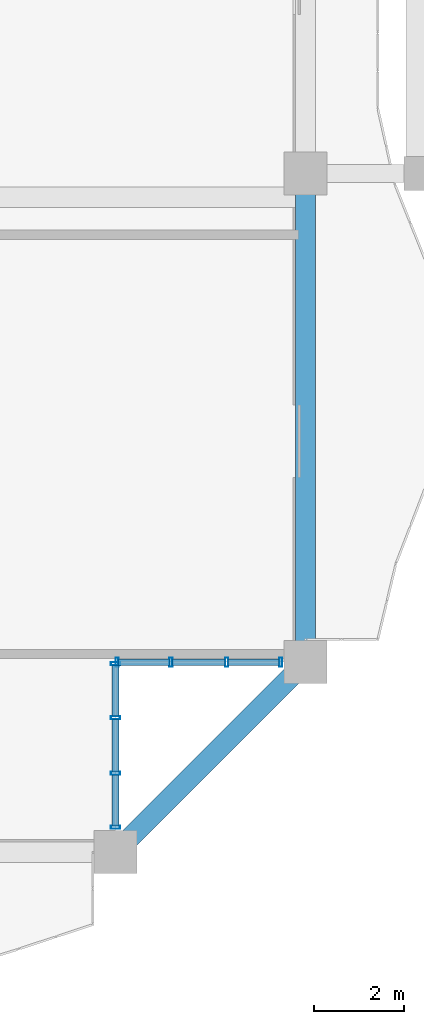
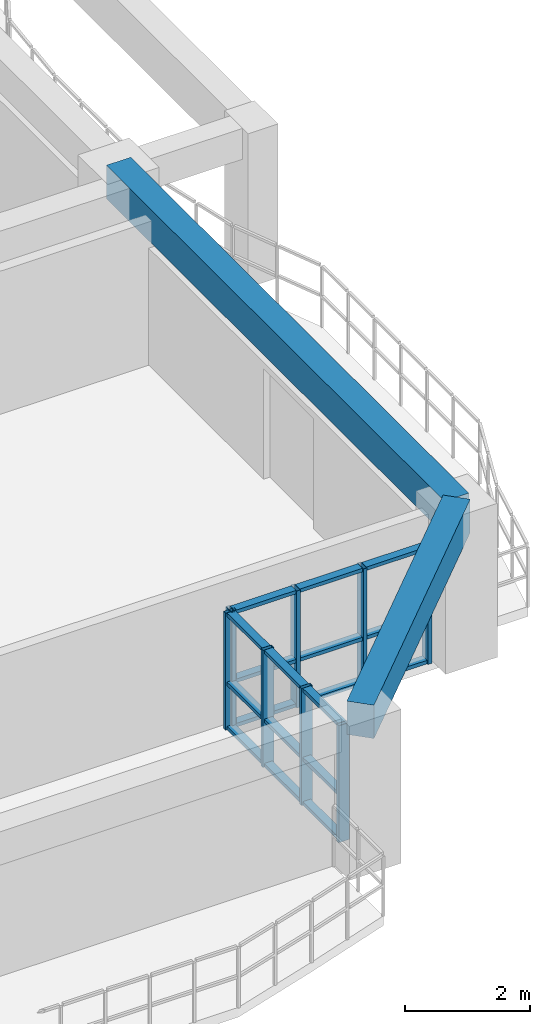
# One storey, part 4 of 22: 26 members, 2 beams, 2 elements without a shape of their own.
"""IFC4 building model written with IfcOpenShell, lengths in metres."""

import ifcopenshell
import ifcopenshell.guid

model = None  # the IFC model being written
_history = None  # IfcOwnerHistory: only IFC2X3 demands one
_inside = {}  # id of a spatial element -> (the spatial element, [elements in it])
_under = {}  # id of a project, library or spatial element -> (it, [spatial elements below it])
_declared = {}  # id of a project -> (the project, [libraries it declares])
_typed = {}  # id of a type object -> (the type object, [elements of that type])
_made_of = {}  # id of a material, layer set ... -> (it, [elements and type objects made of it])


def new_model(schema):
    """Start an empty IFC model of exactly this schema.

    Asked for "IFC4X3", IfcOpenShell would pick the latest addendum, in which some entities
    have other attributes; the version numbers below select the first issue.
    IFC2X3 requires an IfcOwnerHistory on every rooted entity: one is made here for all.
    """
    global model, _history
    if schema == "IFC4X3":
        model = ifcopenshell.file(schema_version=(4, 3, 0, 0))
    else:
        model = ifcopenshell.file(schema=schema)
    _inside.clear()
    _under.clear()
    _declared.clear()
    _typed.clear()
    _made_of.clear()
    _history = None
    if model.schema == "IFC2X3":
        org = make("IfcOrganization", Name="unknown")
        user = make(
            "IfcPersonAndOrganization",
            ThePerson=make("IfcPerson", FamilyName="unknown"),
            TheOrganization=org,
        )
        app = make(
            "IfcApplication",
            ApplicationDeveloper=org,
            Version="unknown",
            ApplicationFullName="unknown",
            ApplicationIdentifier="unknown",
        )
        _history = make(
            "IfcOwnerHistory",
            OwningUser=user,
            OwningApplication=app,
            ChangeAction="ADDED",
            CreationDate=0,
        )
    return model


def make(cls, **values):
    """One entity of the class cls with the attributes given. An attribute that is None is left unset."""
    return model.create_entity(
        cls, **{name: value for name, value in values.items() if value is not None}
    )


def rooted(cls, **values):
    """An entity with a GlobalId (a new one), such as an element, a storey or a relation."""
    return make(cls, GlobalId=ifcopenshell.guid.new(), OwnerHistory=_history, **values)


def si_unit(unit_type, name, prefix=None):
    """IfcSIUnit, for example si_unit("LENGTHUNIT", "METRE", prefix="MILLI")."""
    return make("IfcSIUnit", UnitType=unit_type, Prefix=prefix, Name=name)


def assignment(units):
    """IfcUnitAssignment: the units of a project."""
    return None if units is None else make("IfcUnitAssignment", Units=units)


def point(xyz):
    """IfcCartesianPoint."""
    return None if xyz is None else make("IfcCartesianPoint", Coordinates=xyz)


def direction(xyz):
    """IfcDirection."""
    return None if xyz is None else make("IfcDirection", DirectionRatios=xyz)


def frame(location, z_axis=None, x_axis=None):
    """IfcAxis2Placement3D, a coordinate frame: its origin and axes. An axis left out is left unset."""
    return make(
        "IfcAxis2Placement3D",
        Location=point(location),
        Axis=direction(z_axis),
        RefDirection=direction(x_axis),
    )


def frame_2d(location, x_axis=None):
    """IfcAxis2Placement2D, a coordinate frame in the plane: its origin and x axis."""
    return make(
        "IfcAxis2Placement2D", Location=point(location), RefDirection=direction(x_axis)
    )


def origin():
    """The frame at (0, 0, 0) with its axes left unset."""
    return frame((0.0, 0.0, 0.0))


def origin_2d():
    """The frame at (0, 0) in the plane with its x axis left unset."""
    return frame_2d((0.0, 0.0))


def place(relative_to, where):
    """IfcLocalPlacement: puts the frame where relative to a parent placement (None: the world)."""
    return make(
        "IfcLocalPlacement", PlacementRelTo=relative_to, RelativePlacement=where
    )


def context(
    kind, dimensions, precision=None, world=None, true_north=None, identifier=None
):
    """IfcGeometricRepresentationContext, for example the 3D "Model" context."""
    return make(
        "IfcGeometricRepresentationContext",
        ContextIdentifier=identifier,
        ContextType=kind,
        CoordinateSpaceDimension=dimensions,
        Precision=precision,
        WorldCoordinateSystem=world,
        TrueNorth=true_north,
    )


def subcontext(parent, identifier, kind, view, scale=None):
    """IfcGeometricRepresentationSubContext, for example "Body" below "Model"."""
    return make(
        "IfcGeometricRepresentationSubContext",
        ContextIdentifier=identifier,
        ContextType=kind,
        ParentContext=parent,
        TargetScale=scale,
        TargetView=view,
    )


def project(units=None, contexts=None):
    """IfcProject with its units and contexts."""
    return rooted(
        "IfcProject",
        Name="project",
        RepresentationContexts=contexts,
        UnitsInContext=assignment(units),
    )


def spatial(cls, under=None, at=None, **own):
    """A site, building, storey or space (cls), placed at a placement, below another one or the project."""
    s = rooted(cls, ObjectPlacement=at, **own)
    if under is not None:
        _under.setdefault(under.id(), (under, []))[1].append(s)
    return s


def profile(cls, at=None, kind="AREA", **sizes):
    """A parametric profile (cls). Its sizes go by their IFC names, for example OverallWidth=200.0."""
    return make(cls, ProfileType=kind, Position=at, **sizes)


def rectangle(**sizes):
    """IfcRectangleProfileDef."""
    return profile("IfcRectangleProfileDef", **sizes)


def hollow_rectangle(**sizes):
    """IfcRectangleHollowProfileDef."""
    return profile("IfcRectangleHollowProfileDef", **sizes)


def extrude(swept, where, along, depth):
    """IfcExtrudedAreaSolid: the profile swept, set in the frame where, extruded along a direction by depth."""
    return make(
        "IfcExtrudedAreaSolid",
        SweptArea=swept,
        Position=where,
        ExtrudedDirection=direction(along),
        Depth=depth,
    )


def shape(context_of_items, identifier, shape_type, items):
    """IfcShapeRepresentation: the items that make up one representation, for example the "Body"."""
    return make(
        "IfcShapeRepresentation",
        ContextOfItems=context_of_items,
        RepresentationIdentifier=identifier,
        RepresentationType=shape_type,
        Items=items,
    )


def source(mapping_origin, context_of_items, identifier, shape_type, items):
    """IfcRepresentationMap: a shape defined once, which mapped items show again and again."""
    return make(
        "IfcRepresentationMap",
        MappingOrigin=mapping_origin,
        MappedRepresentation=shape(context_of_items, identifier, shape_type, items),
    )


def transform(
    local_origin,
    x_axis=None,
    y_axis=None,
    z_axis=None,
    scale=None,
    scale2=None,
    scale3=None,
    uniform=True,
):
    """IfcCartesianTransformationOperator3D, or its non-uniform kind. x_axis, y_axis, z_axis: its Axis1, 2, 3."""
    if uniform:
        return make(
            "IfcCartesianTransformationOperator3D",
            Axis1=direction(x_axis),
            Axis2=direction(y_axis),
            LocalOrigin=point(local_origin),
            Scale=scale,
            Axis3=direction(z_axis),
        )
    return make(
        "IfcCartesianTransformationOperator3DnonUniform",
        Axis1=direction(x_axis),
        Axis2=direction(y_axis),
        LocalOrigin=point(local_origin),
        Scale=scale,
        Axis3=direction(z_axis),
        Scale2=scale2,
        Scale3=scale3,
    )


def mapped(mapping_source, mapping_target):
    """IfcMappedItem: shows the shape of a source again, moved by a transform."""
    return make(
        "IfcMappedItem", MappingSource=mapping_source, MappingTarget=mapping_target
    )


def material(Name=None, Category=None):
    """IfcMaterial."""
    return make("IfcMaterial", Name=Name, Category=Category)


def layer(
    of_material, thickness, ventilated=None, Name=None, Category=None, Priority=None
):
    """IfcMaterialLayer: one layer of a wall or slab, of a material (None: an air gap)."""
    return make(
        "IfcMaterialLayer",
        Material=of_material,
        LayerThickness=thickness,
        IsVentilated=ventilated,
        Name=Name,
        Category=Category,
        Priority=Priority,
    )


def layer_set(layers, Name=None):
    """IfcMaterialLayerSet."""
    return make("IfcMaterialLayerSet", MaterialLayers=layers, LayerSetName=Name)


def material_profile(
    of_material, cross_section, Name=None, Category=None, Priority=None
):
    """IfcMaterialProfile: a cross section and its material."""
    return make(
        "IfcMaterialProfile",
        Name=Name,
        Material=of_material,
        Profile=cross_section,
        Priority=Priority,
        Category=Category,
    )


def profile_set(profiles, Name=None, composite=None):
    """IfcMaterialProfileSet."""
    return make(
        "IfcMaterialProfileSet",
        Name=Name,
        MaterialProfiles=profiles,
        CompositeProfile=composite,
    )


def made_of(thing, what):
    """Note that an element or type object is made of a material, layer set ...; save() writes the relation."""
    if what is not None:
        _made_of.setdefault(what.id(), (what, []))[1].append(thing)
    return thing


def type_object(cls, material=None, **own):
    """A type object (cls), such as IfcWallType, which elements share."""
    return made_of(rooted(cls, **own), material)


def element(
    cls,
    number,
    at=None,
    inside=None,
    cuts=None,
    type_object=None,
    material=None,
    context=None,
    identifier="Body",
    shape_type=None,
    held_by="IfcProductDefinitionShape",
    body=None,
    shapes=None,
    **own,
):
    """One element of the class cls, such as IfcWall. Its Tag is "e" and its number.

    at: its placement. inside: the storey or other place that contains it. cuts: it is an
    opening in that element (IfcRelVoidsElement). A single representation is given by context,
    identifier, shape_type and body (its items); several are given by shapes. held_by: the class
    of the entity that holds the representations. save() writes the other relations.
    """
    e = rooted(cls, Tag="e%d" % number, ObjectPlacement=at, **own)
    if body is not None:
        shapes = [shape(context, identifier, shape_type, body)]
    if shapes is not None:
        e.Representation = make(held_by, Representations=shapes)
    if inside is not None:
        _inside.setdefault(inside.id(), (inside, []))[1].append(e)
    if cuts is not None:
        rooted(
            "IfcRelVoidsElement", RelatingBuildingElement=cuts, RelatedOpeningElement=e
        )
    if type_object is not None:
        _typed.setdefault(type_object.id(), (type_object, []))[1].append(e)
    return made_of(e, material)


def aggregate(whole, parts):
    """IfcRelAggregates: a whole, such as a stair, and the parts it consists of."""
    return rooted("IfcRelAggregates", RelatingObject=whole, RelatedObjects=parts)


def save(model, path):
    """Write the relations noted so far, then the file.

    IfcRelAggregates (storeys below a building ...), IfcRelContainedInSpatialStructure (elements
    in a storey), IfcRelDefinesByType, IfcRelAssociatesMaterial and IfcRelDeclares: one each for
    every whole, place, type object, material and project.
    """
    for whole, parts in _under.values():
        aggregate(whole, parts)
    for where, things in _inside.values():
        rooted(
            "IfcRelContainedInSpatialStructure",
            RelatedElements=things,
            RelatingStructure=where,
        )
    for kind, things in _typed.values():
        rooted("IfcRelDefinesByType", RelatedObjects=things, RelatingType=kind)
    for what, things in _made_of.values():
        rooted("IfcRelAssociatesMaterial", RelatedObjects=things, RelatingMaterial=what)
    for by, libraries in _declared.values():
        rooted("IfcRelDeclares", RelatingContext=by, RelatedDefinitions=libraries)
    model.write(path)


model = new_model("IFC4")

# Units and contexts
model_context = context("Model", 3, precision=1e-05, world=origin(), true_north=direction((0.0, 1.0)))
body_context = subcontext(model_context, "Body", "Model", "MODEL_VIEW")
ifc_project = project(units=[si_unit("LENGTHUNIT", "METRE"), si_unit("AREAUNIT", "SQUARE_METRE"), si_unit("VOLUMEUNIT", "CUBIC_METRE"), si_unit("PLANEANGLEUNIT", "RADIAN"), si_unit("MASSUNIT", "GRAM", prefix="KILO")], contexts=[model_context])

# Site, building, storey
site_placement = place(None, origin())
site = spatial("IfcSite", under=ifc_project, at=site_placement, CompositionType="ELEMENT")
building_placement = place(site_placement, origin())
building = spatial("IfcBuilding", under=site, at=building_placement, Name="Saelheon Loggia Tower", CompositionType="ELEMENT")
storey_placement = place(building_placement, frame((0.0, 0.0, 135.75)))
storey = spatial("IfcBuildingStorey", under=building, at=storey_placement, Name="L43", CompositionType="ELEMENT", Elevation=135.75)

# Beams
ifc_material_1 = material(Name="Concrete C40/50", Category="concrete")
ifc_material_profile_1 = material_profile(ifc_material_1, rectangle(XDim=0.449951171875, YDim=0.64990234375, at=origin_2d()), Name="RC-450x650")
ifc_profile_set_1 = profile_set([ifc_material_profile_1], Name="Concrete C40/50")
beam_type = type_object("IfcBeamType", Name="Beam_PerimTower_RC450x650", PredefinedType="BEAM", material=ifc_profile_set_1)
shared_shape_1 = source(origin(), body_context, "Body", "SweptSolid", [
    extrude(rectangle(XDim=0.449951171875, YDim=0.64990234375, at=origin_2d()), origin(), (0.0, 0.0, 1.0), 5.939697265625),
])
beam_1_placement = place(storey_placement, frame((59.800048828125, 3.0, 2.675048828125), z_axis=(0.707106781187, 0.707106781187, 0.0), x_axis=(-0.707106781187, 0.707106781187, 0.0)))
element("IfcBeam", 1, at=beam_1_placement, inside=storey, type_object=beam_type, Name="L43 Perimeter Frame Girder 04", PredefinedType="BEAM", context=body_context, shape_type="MappedRepresentation", body=[
    mapped(shared_shape_1, transform((0.0, 0.0, 0.0), scale=1.0)),
])
shared_shape_2 = source(origin(), body_context, "Body", "SweptSolid", [
    extrude(rectangle(XDim=0.449951171875, YDim=0.64990234375, at=origin_2d()), origin(), (0.0, 0.0, 1.0), 10.800048828125),
])
beam_2_placement = place(storey_placement, frame((64.0, 7.199951171875, 2.675048828125), z_axis=(0.0, 1.0, 0.0), x_axis=(-1.0, 0.0, 0.0)))
element("IfcBeam", 2, at=beam_2_placement, inside=storey, type_object=beam_type, Name="L43 Perimeter Frame Girder 05", PredefinedType="BEAM", context=body_context, shape_type="MappedRepresentation", body=[
    mapped(shared_shape_2, transform((0.0, 0.0, 0.0), scale=1.0)),
])

# Curtain wall, members
ifc_material_2 = material(Name="High-Wind Aluminium and Triple Laminated Glass", Category="aluminium")
ifc_layer = layer(ifc_material_2, 0.179931640625)
ifc_layer_set = layer_set([ifc_layer], Name="High-Wind Aluminium and Triple Laminated Glass")
curtain_wall_type = type_object("IfcCurtainWallType", Name="CW_TowerLoggiaHigh", PredefinedType="NOTDEFINED", material=ifc_layer_set)
curtain_wall_1_placement = place(storey_placement, origin())
curtain_wall_1 = element("IfcCurtainWall", 3, at=curtain_wall_1_placement, inside=storey, type_object=curtain_wall_type, Name="L43 Corner Notch Glazing SE1", PredefinedType="NOTDEFINED")
ifc_material_3 = material(Name="Anodised Aluminium 6063-T6", Category="aluminium")
ifc_material_profile_2 = material_profile(ifc_material_3, hollow_rectangle(XDim=0.070068359375, YDim=0.199951171875, WallThickness=0.0048828125, at=origin_2d()), Name="RHS-200x70x5")
ifc_profile_set_2 = profile_set([ifc_material_profile_2], Name="Anodised Aluminium 6063-T6")
member_type_1 = type_object("IfcMemberType", Name="CW_TowerLoggiaHigh_Mullion", PredefinedType="MULLION", material=ifc_profile_set_2)
shared_shape_3 = source(origin(), body_context, "Body", "SweptSolid", [
    extrude(hollow_rectangle(XDim=0.070068359375, YDim=0.199951171875, WallThickness=0.0048828125, at=origin_2d()), origin(), (0.0, 0.0, 1.0), 2.280029296875),
])
member_1_placement = place(storey_placement, frame((59.800048828125, 3.550048828125, 0.0), z_axis=(0.0, 0.0, 1.0), x_axis=(0.0, 1.0, 0.0)))
member_1 = element("IfcMember", 4, at=member_1_placement, type_object=member_type_1, Name="CW4 mullion 1", PredefinedType="MULLION", context=body_context, shape_type="MappedRepresentation", body=[
    mapped(shared_shape_3, transform((0.0, 0.0, 0.0), scale=1.0)),
])
member_2_placement = place(storey_placement, frame((59.800048828125, 4.743408203125, 0.0), z_axis=(0.0, 0.0, 1.0), x_axis=(0.0, 1.0, 0.0)))
member_2 = element("IfcMember", 5, at=member_2_placement, type_object=member_type_1, Name="CW4 mullion 2", PredefinedType="MULLION", context=body_context, shape_type="MappedRepresentation", body=[
    mapped(shared_shape_3, transform((0.0, 0.0, 0.0), scale=1.0)),
])
member_3_placement = place(storey_placement, frame((59.800048828125, 5.9716796875, 0.0), z_axis=(0.0, 0.0, 1.0), x_axis=(0.0, 1.0, 0.0)))
member_3 = element("IfcMember", 6, at=member_3_placement, type_object=member_type_1, Name="CW4 mullion 3", PredefinedType="MULLION", context=body_context, shape_type="MappedRepresentation", body=[
    mapped(shared_shape_3, transform((0.0, 0.0, 0.0), scale=1.0)),
])
member_4_placement = place(storey_placement, frame((59.800048828125, 7.1650390625, 0.0), z_axis=(0.0, 0.0, 1.0), x_axis=(0.0, 1.0, 0.0)))
member_4 = element("IfcMember", 7, at=member_4_placement, type_object=member_type_1, Name="CW4 mullion 4", PredefinedType="MULLION", context=body_context, shape_type="MappedRepresentation", body=[
    mapped(shared_shape_3, transform((0.0, 0.0, 0.0), scale=1.0)),
])

curtain_wall_2_placement = place(storey_placement, origin())
curtain_wall_2 = element("IfcCurtainWall", 8, at=curtain_wall_2_placement, inside=storey, type_object=curtain_wall_type, Name="L43 Corner Notch Glazing SE2", PredefinedType="NOTDEFINED")
member_5_placement = place(storey_placement, frame((59.8349609375, 7.199951171875, 0.0), z_axis=(0.0, 0.0, 1.0), x_axis=(1.0, 0.0, 0.0)))
member_5 = element("IfcMember", 9, at=member_5_placement, type_object=member_type_1, Name="CW4 mullion 1", PredefinedType="MULLION", context=body_context, shape_type="MappedRepresentation", body=[
    mapped(shared_shape_3, transform((0.0, 0.0, 0.0), scale=1.0)),
])
member_6_placement = place(storey_placement, frame((61.0283203125, 7.199951171875, 0.0), z_axis=(0.0, 0.0, 1.0), x_axis=(1.0, 0.0, 0.0)))
member_6 = element("IfcMember", 10, at=member_6_placement, type_object=member_type_1, Name="CW4 mullion 2", PredefinedType="MULLION", context=body_context, shape_type="MappedRepresentation", body=[
    mapped(shared_shape_3, transform((0.0, 0.0, 0.0), scale=1.0)),
])
member_7_placement = place(storey_placement, frame((62.256591796875, 7.199951171875, 0.0), z_axis=(0.0, 0.0, 1.0), x_axis=(1.0, 0.0, 0.0)))
member_7 = element("IfcMember", 11, at=member_7_placement, type_object=member_type_1, Name="CW4 mullion 3", PredefinedType="MULLION", context=body_context, shape_type="MappedRepresentation", body=[
    mapped(shared_shape_3, transform((0.0, 0.0, 0.0), scale=1.0)),
])
member_8_placement = place(storey_placement, frame((63.449951171875, 7.199951171875, 0.0), z_axis=(0.0, 0.0, 1.0), x_axis=(1.0, 0.0, 0.0)))
member_8 = element("IfcMember", 12, at=member_8_placement, type_object=member_type_1, Name="CW4 mullion 4", PredefinedType="MULLION", context=body_context, shape_type="MappedRepresentation", body=[
    mapped(shared_shape_3, transform((0.0, 0.0, 0.0), scale=1.0)),
])

# Member
ifc_material_profile_3 = material_profile(ifc_material_3, hollow_rectangle(XDim=0.070068359375, YDim=0.14990234375, WallThickness=0.0048828125, at=origin_2d()), Name="RHS-150x70x5")
ifc_profile_set_3 = profile_set([ifc_material_profile_3], Name="Anodised Aluminium 6063-T6")
member_type_2 = type_object("IfcMemberType", Name="CW_TowerLoggiaHigh_Transom", PredefinedType="USERDEFINED", material=ifc_profile_set_3)
shared_shape_4 = source(origin(), body_context, "Body", "SweptSolid", [
    extrude(hollow_rectangle(XDim=0.070068359375, YDim=0.14990234375, WallThickness=0.0048828125, at=origin_2d()), origin(), (0.0, 0.0, 1.0), 1.123291015625),
])
member_9_placement = place(storey_placement, frame((59.800048828125, 3.5849609375, 0.034912109375), z_axis=(0.0, 1.0, 0.0), x_axis=(0.0, 0.0, 1.0)))
member_9 = element("IfcMember", 13, at=member_9_placement, type_object=member_type_2, Name="CW4 transom 1.1", ObjectType="TRANSOM", PredefinedType="USERDEFINED", context=body_context, shape_type="MappedRepresentation", body=[
    mapped(shared_shape_4, transform((0.0, 0.0, 0.0), scale=1.0)),
])

member_10_placement = place(storey_placement, frame((59.800048828125, 3.5849609375, 0.89990234375), z_axis=(0.0, 1.0, 0.0), x_axis=(0.0, 0.0, 1.0)))
member_10 = element("IfcMember", 14, at=member_10_placement, type_object=member_type_2, Name="CW4 transom 1.2", ObjectType="TRANSOM", PredefinedType="USERDEFINED", context=body_context, shape_type="MappedRepresentation", body=[
    mapped(shared_shape_4, transform((0.0, 0.0, 0.0), scale=1.0)),
])

member_11_placement = place(storey_placement, frame((59.800048828125, 3.5849609375, 2.2451171875), z_axis=(0.0, 1.0, 0.0), x_axis=(0.0, 0.0, 1.0)))
member_11 = element("IfcMember", 15, at=member_11_placement, type_object=member_type_2, Name="CW4 transom 1.3", ObjectType="TRANSOM", PredefinedType="USERDEFINED", context=body_context, shape_type="MappedRepresentation", body=[
    mapped(shared_shape_4, transform((0.0, 0.0, 0.0), scale=1.0)),
])

member_12_placement = place(storey_placement, frame((59.800048828125, 6.006591796875, 0.034912109375), z_axis=(0.0, 1.0, 0.0), x_axis=(0.0, 0.0, 1.0)))
member_12 = element("IfcMember", 16, at=member_12_placement, type_object=member_type_2, Name="CW4 transom 3.1", ObjectType="TRANSOM", PredefinedType="USERDEFINED", context=body_context, shape_type="MappedRepresentation", body=[
    mapped(shared_shape_4, transform((0.0, 0.0, 0.0), scale=1.0)),
])

member_13_placement = place(storey_placement, frame((59.800048828125, 6.006591796875, 0.89990234375), z_axis=(0.0, 1.0, 0.0), x_axis=(0.0, 0.0, 1.0)))
member_13 = element("IfcMember", 17, at=member_13_placement, type_object=member_type_2, Name="CW4 transom 3.2", ObjectType="TRANSOM", PredefinedType="USERDEFINED", context=body_context, shape_type="MappedRepresentation", body=[
    mapped(shared_shape_4, transform((0.0, 0.0, 0.0), scale=1.0)),
])

member_14_placement = place(storey_placement, frame((59.800048828125, 6.006591796875, 2.2451171875), z_axis=(0.0, 1.0, 0.0), x_axis=(0.0, 0.0, 1.0)))
member_14 = element("IfcMember", 18, at=member_14_placement, type_object=member_type_2, Name="CW4 transom 3.3", ObjectType="TRANSOM", PredefinedType="USERDEFINED", context=body_context, shape_type="MappedRepresentation", body=[
    mapped(shared_shape_4, transform((0.0, 0.0, 0.0), scale=1.0)),
])

member_15_placement = place(storey_placement, frame((59.8701171875, 7.199951171875, 0.034912109375), z_axis=(1.0, 0.0, 0.0), x_axis=(0.0, 0.0, 1.0)))
member_15 = element("IfcMember", 19, at=member_15_placement, type_object=member_type_2, Name="CW4 transom 1.1", ObjectType="TRANSOM", PredefinedType="USERDEFINED", context=body_context, shape_type="MappedRepresentation", body=[
    mapped(shared_shape_4, transform((0.0, 0.0, 0.0), scale=1.0)),
])

member_16_placement = place(storey_placement, frame((59.8701171875, 7.199951171875, 0.89990234375), z_axis=(1.0, 0.0, 0.0), x_axis=(0.0, 0.0, 1.0)))
member_16 = element("IfcMember", 20, at=member_16_placement, type_object=member_type_2, Name="CW4 transom 1.2", ObjectType="TRANSOM", PredefinedType="USERDEFINED", context=body_context, shape_type="MappedRepresentation", body=[
    mapped(shared_shape_4, transform((0.0, 0.0, 0.0), scale=1.0)),
])

member_17_placement = place(storey_placement, frame((59.8701171875, 7.199951171875, 2.2451171875), z_axis=(1.0, 0.0, 0.0), x_axis=(0.0, 0.0, 1.0)))
member_17 = element("IfcMember", 21, at=member_17_placement, type_object=member_type_2, Name="CW4 transom 1.3", ObjectType="TRANSOM", PredefinedType="USERDEFINED", context=body_context, shape_type="MappedRepresentation", body=[
    mapped(shared_shape_4, transform((0.0, 0.0, 0.0), scale=1.0)),
])

member_18_placement = place(storey_placement, frame((62.291748046875, 7.199951171875, 0.034912109375), z_axis=(1.0, 0.0, 0.0), x_axis=(0.0, 0.0, 1.0)))
member_18 = element("IfcMember", 22, at=member_18_placement, type_object=member_type_2, Name="CW4 transom 3.1", ObjectType="TRANSOM", PredefinedType="USERDEFINED", context=body_context, shape_type="MappedRepresentation", body=[
    mapped(shared_shape_4, transform((0.0, 0.0, 0.0), scale=1.0)),
])

member_19_placement = place(storey_placement, frame((62.291748046875, 7.199951171875, 0.89990234375), z_axis=(1.0, 0.0, 0.0), x_axis=(0.0, 0.0, 1.0)))
member_19 = element("IfcMember", 23, at=member_19_placement, type_object=member_type_2, Name="CW4 transom 3.2", ObjectType="TRANSOM", PredefinedType="USERDEFINED", context=body_context, shape_type="MappedRepresentation", body=[
    mapped(shared_shape_4, transform((0.0, 0.0, 0.0), scale=1.0)),
])

member_20_placement = place(storey_placement, frame((62.291748046875, 7.199951171875, 2.2451171875), z_axis=(1.0, 0.0, 0.0), x_axis=(0.0, 0.0, 1.0)))
member_20 = element("IfcMember", 24, at=member_20_placement, type_object=member_type_2, Name="CW4 transom 3.3", ObjectType="TRANSOM", PredefinedType="USERDEFINED", context=body_context, shape_type="MappedRepresentation", body=[
    mapped(shared_shape_4, transform((0.0, 0.0, 0.0), scale=1.0)),
])

shared_shape_5 = source(origin(), body_context, "Body", "SweptSolid", [
    extrude(hollow_rectangle(XDim=0.070068359375, YDim=0.14990234375, WallThickness=0.0048828125, at=origin_2d()), origin(), (0.0, 0.0, 1.0), 1.158447265625),
])
member_21_placement = place(storey_placement, frame((59.800048828125, 4.7783203125, 0.034912109375), z_axis=(0.0, 1.0, 0.0), x_axis=(0.0, 0.0, 1.0)))
member_21 = element("IfcMember", 25, at=member_21_placement, type_object=member_type_2, Name="CW4 transom 2.1", ObjectType="TRANSOM", PredefinedType="USERDEFINED", context=body_context, shape_type="MappedRepresentation", body=[
    mapped(shared_shape_5, transform((0.0, 0.0, 0.0), scale=1.0)),
])

member_22_placement = place(storey_placement, frame((59.800048828125, 4.7783203125, 0.89990234375), z_axis=(0.0, 1.0, 0.0), x_axis=(0.0, 0.0, 1.0)))
member_22 = element("IfcMember", 26, at=member_22_placement, type_object=member_type_2, Name="CW4 transom 2.2", ObjectType="TRANSOM", PredefinedType="USERDEFINED", context=body_context, shape_type="MappedRepresentation", body=[
    mapped(shared_shape_5, transform((0.0, 0.0, 0.0), scale=1.0)),
])

member_23_placement = place(storey_placement, frame((59.800048828125, 4.7783203125, 2.2451171875), z_axis=(0.0, 1.0, 0.0), x_axis=(0.0, 0.0, 1.0)))
member_23 = element("IfcMember", 27, at=member_23_placement, type_object=member_type_2, Name="CW4 transom 2.3", ObjectType="TRANSOM", PredefinedType="USERDEFINED", context=body_context, shape_type="MappedRepresentation", body=[
    mapped(shared_shape_5, transform((0.0, 0.0, 0.0), scale=1.0)),
])

aggregate(curtain_wall_1, [member_1, member_2, member_3, member_4, member_9, member_10, member_11, member_21, member_22, member_23, member_12, member_13, member_14])

member_24_placement = place(storey_placement, frame((61.063232421875, 7.199951171875, 0.034912109375), z_axis=(1.0, 0.0, 0.0), x_axis=(0.0, 0.0, 1.0)))
member_24 = element("IfcMember", 28, at=member_24_placement, type_object=member_type_2, Name="CW4 transom 2.1", ObjectType="TRANSOM", PredefinedType="USERDEFINED", context=body_context, shape_type="MappedRepresentation", body=[
    mapped(shared_shape_5, transform((0.0, 0.0, 0.0), scale=1.0)),
])

member_25_placement = place(storey_placement, frame((61.063232421875, 7.199951171875, 0.89990234375), z_axis=(1.0, 0.0, 0.0), x_axis=(0.0, 0.0, 1.0)))
member_25 = element("IfcMember", 29, at=member_25_placement, type_object=member_type_2, Name="CW4 transom 2.2", ObjectType="TRANSOM", PredefinedType="USERDEFINED", context=body_context, shape_type="MappedRepresentation", body=[
    mapped(shared_shape_5, transform((0.0, 0.0, 0.0), scale=1.0)),
])

member_26_placement = place(storey_placement, frame((61.063232421875, 7.199951171875, 2.2451171875), z_axis=(1.0, 0.0, 0.0), x_axis=(0.0, 0.0, 1.0)))
member_26 = element("IfcMember", 30, at=member_26_placement, type_object=member_type_2, Name="CW4 transom 2.3", ObjectType="TRANSOM", PredefinedType="USERDEFINED", context=body_context, shape_type="MappedRepresentation", body=[
    mapped(shared_shape_5, transform((0.0, 0.0, 0.0), scale=1.0)),
])

aggregate(curtain_wall_2, [member_5, member_6, member_7, member_8, member_15, member_16, member_17, member_24, member_25, member_26, member_18, member_19, member_20])

save(model, "model.ifc")
